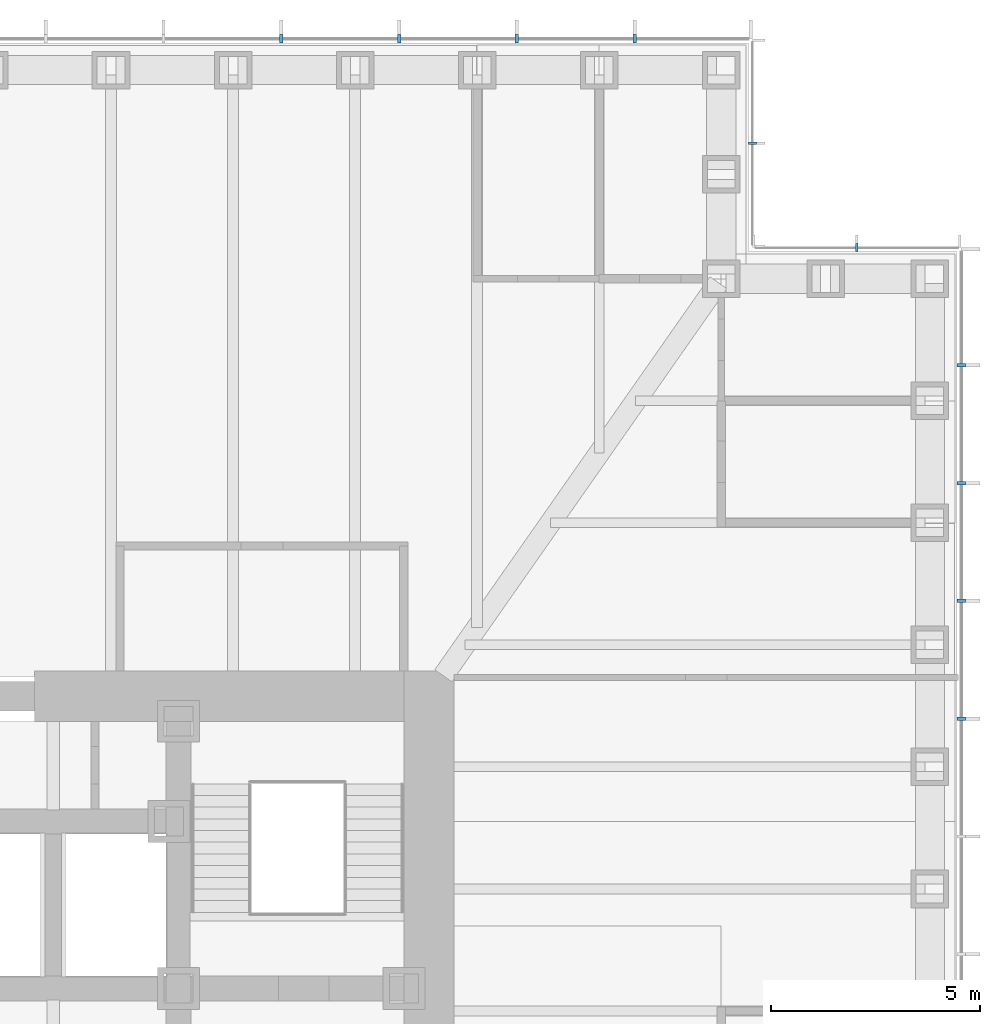
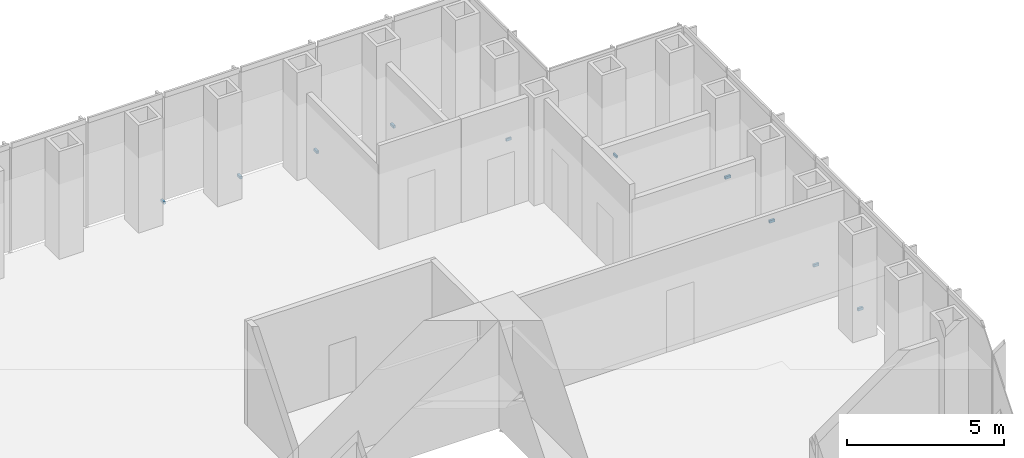
# One storey, part 16 of 17: 10 discrete accessories.
"""IFC4 building model written with IfcOpenShell, lengths in metres."""

from ifc_helpers import new_model, si_unit, direction, frame, origin, origin_2d, place, context, subcontext, project, spatial, rectangle, extrude, element, save


model = new_model("IFC4")

# Units and contexts
model_context = context("Model", 3, precision=1e-05, world=origin(), true_north=direction((0.0, 1.0)))
body_context = subcontext(model_context, "Body", "Model", "MODEL_VIEW")
ifc_project = project(units=[si_unit("LENGTHUNIT", "METRE"), si_unit("AREAUNIT", "SQUARE_METRE"), si_unit("VOLUMEUNIT", "CUBIC_METRE"), si_unit("PLANEANGLEUNIT", "RADIAN"), si_unit("MASSUNIT", "GRAM", prefix="KILO")], contexts=[model_context])

# Site, building, storey
site_placement = place(None, origin())
site = spatial("IfcSite", under=ifc_project, at=site_placement, CompositionType="ELEMENT")
building_placement = place(site_placement, origin())
building = spatial("IfcBuilding", under=site, at=building_placement, Name="Daluyong Arena Tower", CompositionType="ELEMENT")
storey_placement = place(building_placement, frame((0.0, 0.0, 60.10009765625)))
storey = spatial("IfcBuildingStorey", under=building, at=storey_placement, Name="L12", CompositionType="ELEMENT", Elevation=60.10009765625)

# Discrete accessories
for number, where, z_axis, x_axis, name in (
    (1, (80.75, 88.46435546875, -0.10009765625), (0.0, 0.0, 1.0), (0.0, 1.0, 0.0), "curtain wall L12 E anchor bracket 11"),
    (2, (80.75, 91.28564453125, -0.10009765625), (0.0, 0.0, 1.0), (0.0, 1.0, 0.0), "curtain wall L12 E anchor bracket 12"),
    (3, (80.75, 94.107177734375, -0.10009765625), (0.0, 0.0, 1.0), (0.0, 1.0, 0.0), "curtain wall L12 E anchor bracket 13"),
    (4, (80.75, 96.928466796875, -0.10009765625), (0.0, 0.0, 1.0), (0.0, 1.0, 0.0), "curtain wall L12 E anchor bracket 14"),
):
    element("IfcDiscreteAccessory", number, at=place(storey_placement, frame(where, z_axis=z_axis, x_axis=x_axis)), inside=storey, Name=name, PredefinedType="BRACKET", context=body_context, shape_type="SweptSolid", body=[
        extrude(rectangle(XDim=0.080078125, YDim=0.199951171875, at=origin_2d()), origin(), (0.0, 0.0, 1.0), 0.10009765625),
    ])
for number, where, z_axis, x_axis, name in (
    (5, (78.25, 99.75, -0.10009765625), (0.0, 0.0, 1.0), (-1.0, 0.0, 0.0), "curtain wall L12 NE-N anchor bracket 2"),
    (6, (75.75, 102.25, -0.10009765625), (0.0, 0.0, 1.0), (0.0, 1.0, 0.0), "curtain wall L12 NE-E anchor bracket 2"),
):
    element("IfcDiscreteAccessory", number, at=place(storey_placement, frame(where, z_axis=z_axis, x_axis=x_axis)), inside=storey, Name=name, PredefinedType="BRACKET", context=body_context, shape_type="SweptSolid", body=[
        extrude(rectangle(XDim=0.06005859375, YDim=0.199951171875, at=origin_2d()), origin(), (0.0, 0.0, 1.0), 0.10009765625),
    ])
for number, where, z_axis, x_axis, name in (
    (7, (72.928466796875, 104.75, -0.10009765625), (0.0, 0.0, 1.0), (-1.0, 0.0, 0.0), "curtain wall L12 N anchor bracket 2"),
    (8, (70.107177734375, 104.75, -0.10009765625), (0.0, 0.0, 1.0), (-1.0, 0.0, 0.0), "curtain wall L12 N anchor bracket 3"),
    (9, (67.28564453125, 104.75, -0.10009765625), (0.0, 0.0, 1.0), (-1.0, 0.0, 0.0), "curtain wall L12 N anchor bracket 4"),
    (10, (64.46435546875, 104.75, -0.10009765625), (0.0, 0.0, 1.0), (-1.0, 0.0, 0.0), "curtain wall L12 N anchor bracket 5"),
):
    element("IfcDiscreteAccessory", number, at=place(storey_placement, frame(where, z_axis=z_axis, x_axis=x_axis)), inside=storey, Name=name, PredefinedType="BRACKET", context=body_context, shape_type="SweptSolid", body=[
        extrude(rectangle(XDim=0.080078125, YDim=0.199951171875, at=origin_2d()), origin(), (0.0, 0.0, 1.0), 0.10009765625),
    ])

save(model, "model.ifc")
